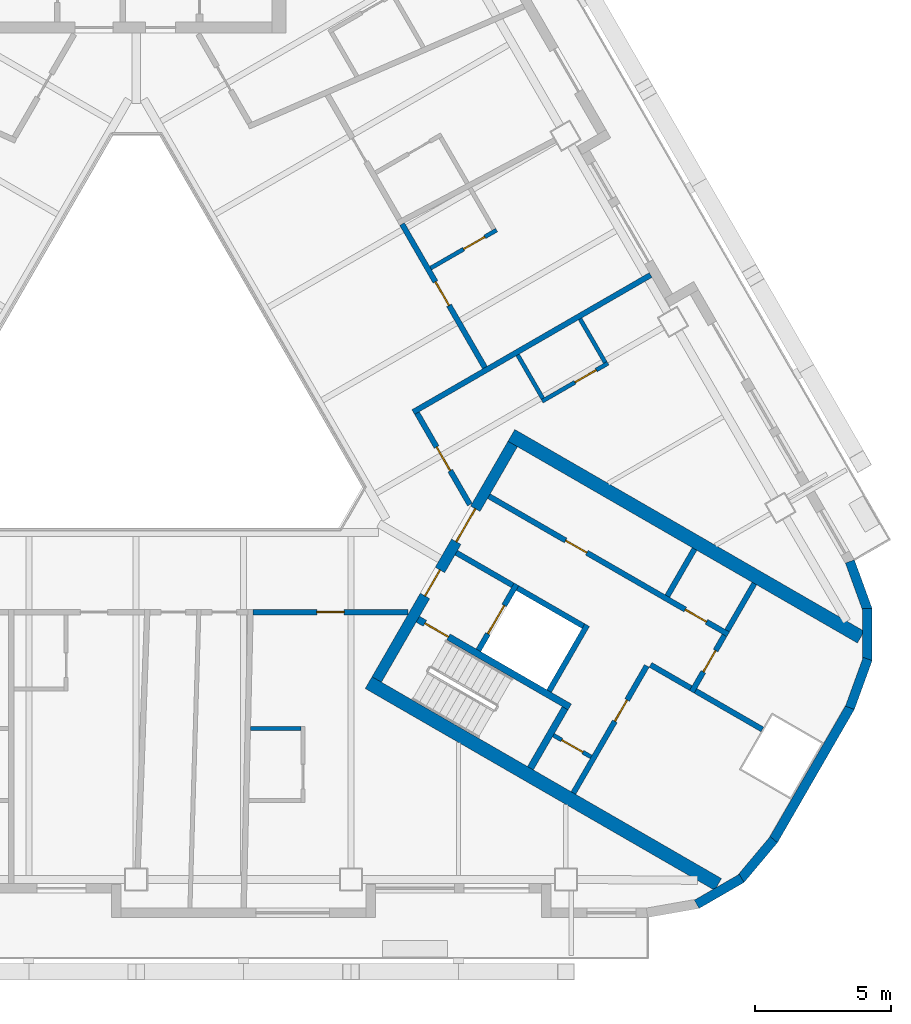
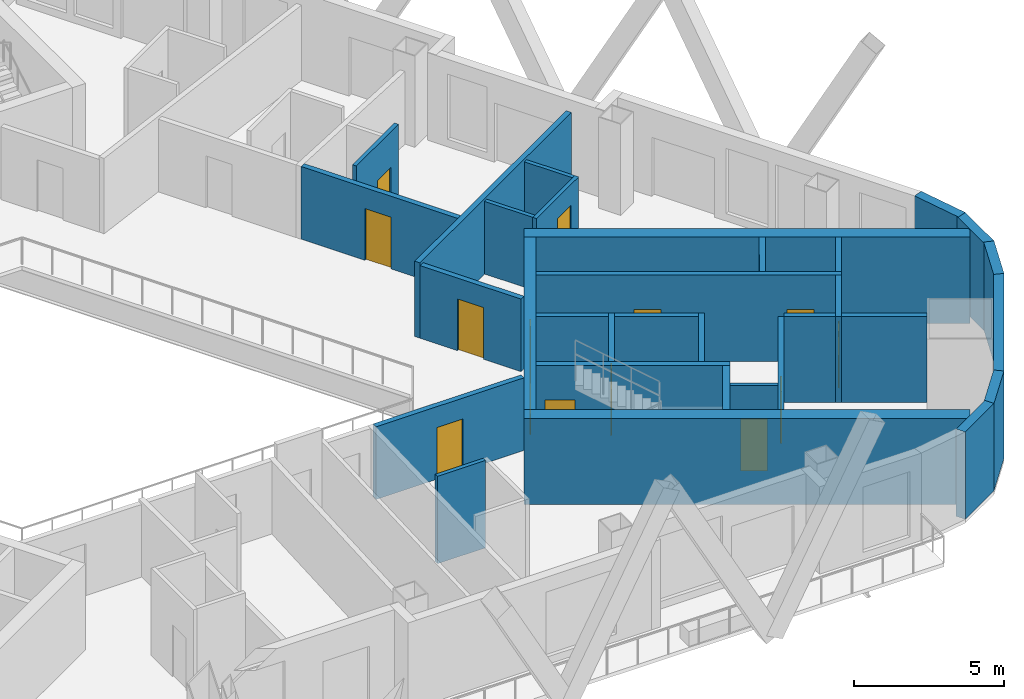
# One storey, part 5 of 14: 32 walls, 14 doors, 14 openings.
"""IFC4 building model written with IfcOpenShell, lengths in metres."""

from ifc_helpers import new_model, si_unit, direction, frame, frame_2d, origin, place, context, subcontext, project, spatial, rectangle, extrude, material, layer, layer_set, type_object, element, fill, save


model = new_model("IFC4")

# Units and contexts
model_context = context("Model", 3, precision=1e-05, world=origin(), true_north=direction((0.0, 1.0)))
body_context = subcontext(model_context, "Body", "Model", "MODEL_VIEW")
ifc_project = project(units=[si_unit("LENGTHUNIT", "METRE"), si_unit("AREAUNIT", "SQUARE_METRE"), si_unit("VOLUMEUNIT", "CUBIC_METRE"), si_unit("PLANEANGLEUNIT", "RADIAN"), si_unit("MASSUNIT", "GRAM", prefix="KILO")], contexts=[model_context])

# Site, building, storey
site_placement = place(None, origin())
site = spatial("IfcSite", under=ifc_project, at=site_placement, CompositionType="ELEMENT")
building_placement = place(site_placement, origin())
building = spatial("IfcBuilding", under=site, at=building_placement, Name="Apuvela Tower Hotel", CompositionType="ELEMENT")
storey_placement = place(building_placement, frame((0.0, 0.0, 154.0)))
storey = spatial("IfcBuildingStorey", under=building, at=storey_placement, Name="L36", CompositionType="ELEMENT", Elevation=154.0)

# Wall, openings, doors
ifc_material_1 = material(Name="Concrete C50/60", Category="concrete")
ifc_layer_1 = layer(ifc_material_1, 0.39990234375)
ifc_layer_set_1 = layer_set([ifc_layer_1], Name="COR-WALL-CORE-400")
wall_type_1 = type_object("IfcWallType", Name="COR-WALL-CORE-400", PredefinedType="SHEAR", material=ifc_layer_set_1)
wall_1_placement = place(storey_placement, frame((8.844970703125, -10.880126953125, 0.0), z_axis=(0.0, 0.0, 1.0), x_axis=(0.500004234368, 0.866022959057, 0.0)))
wall_1 = element("IfcWall", 1, at=wall_1_placement, inside=storey, type_object=wall_type_1, Name="Core wall SE", PredefinedType="SHEAR", context=body_context, shape_type="SweptSolid", body=[
    extrude(rectangle(XDim=10.0, YDim=0.39990234375, at=frame_2d((5.0, 0.0))), origin(), (0.0, 0.0, 1.0), 3.5),
])
opening_1_placement = place(wall_1_placement, frame((3.550048828125, 0.0, 0.0)))
opening_1 = element("IfcOpeningElement", 2, at=opening_1_placement, cuts=wall_1, Name="Opening E-FD", PredefinedType="OPENING", context=body_context, shape_type="SweptSolid", body=[
    extrude(rectangle(XDim=1.10009765625, YDim=2.10009765625, at=frame_2d((0.550048828125, 1.050048828125))), frame((0.0, 0.2099609375, 0.0), z_axis=(0.0, -1.0, 0.0), x_axis=(1.0, 0.0, 0.0)), (0.0, 0.0, 1.0), 0.419921875),
])
opening_2_placement = place(wall_1_placement, frame((5.85009765625, 0.0, 0.0)))
opening_2 = element("IfcOpeningElement", 3, at=opening_2_placement, cuts=wall_1, Name="Opening E-GD", PredefinedType="OPENING", context=body_context, shape_type="SweptSolid", body=[
    extrude(rectangle(XDim=1.39990234375, YDim=2.10009765625, at=frame_2d((0.699951171875, 1.050048828125))), frame((0.0, 0.2099609375, 0.0), z_axis=(0.0, -1.0, 0.0), x_axis=(1.0, 0.0, 0.0)), (0.0, 0.0, 1.0), 0.419921875),
])
ifc_material_2 = material(Name="Steel fire door, powder coated", Category="steel")
door_type_1 = type_object("IfcDoorType", Name="COR-FD-1100", OperationType="NOTDEFINED", PredefinedType="DOOR", material=ifc_material_2)
door_1_placement = place(opening_1_placement, frame((1.10009765625, 0.0, 0.0), z_axis=(0.0, 0.0, 1.0), x_axis=(-1.0, 0.0, 0.0)))
door_1 = element("IfcDoor", 4, at=door_1_placement, inside=storey, type_object=door_type_1, Name="Firefighting lobby door E-FD", OperationType="SINGLE_SWING_LEFT", OverallHeight=2.10009765625, OverallWidth=1.10009765625, PredefinedType="DOOR", context=body_context, shape_type="SweptSolid", body=[
    extrude(rectangle(XDim=1.10009765625, YDim=2.10009765625, at=frame_2d((0.550048828125, 1.050048828125))), frame((0.0, 0.02490234375, 0.0), z_axis=(0.0, -1.0, 0.0), x_axis=(1.0, 0.0, 0.0)), (0.0, 0.0, 1.0), 0.050048828125),
])
fill(opening_1, door_1)
ifc_material_3 = material(Name="Glazed steel fire door", Category="steel")
door_type_2 = type_object("IfcDoorType", Name="COR-GD-1400", OperationType="DOUBLE_DOOR_SINGLE_SWING", PredefinedType="DOOR", material=ifc_material_3)
door_2_placement = place(opening_2_placement, frame((1.39990234375, 0.0, 0.0), z_axis=(0.0, 0.0, 1.0), x_axis=(-1.0, 0.0, 0.0)))
door_2 = element("IfcDoor", 5, at=door_2_placement, inside=storey, type_object=door_type_2, Name="Lift lobby door E-GD", OperationType="DOUBLE_DOOR_SINGLE_SWING", OverallHeight=2.10009765625, OverallWidth=1.39990234375, PredefinedType="DOOR", context=body_context, shape_type="SweptSolid", body=[
    extrude(rectangle(XDim=1.39990234375, YDim=2.10009765625, at=frame_2d((0.699951171875, 1.050048828125))), frame((0.0, 0.02490234375, 0.0), z_axis=(0.0, -1.0, 0.0), x_axis=(1.0, 0.0, 0.0)), (0.0, 0.0, 1.0), 0.050048828125),
])
fill(opening_2, door_2)

# Walls
ifc_layer_2 = layer(ifc_material_1, 0.5)
ifc_layer_set_2 = layer_set([ifc_layer_2], Name="COR-WALL-CORE-500")
wall_type_2 = type_object("IfcWallType", Name="COR-WALL-CORE-500", PredefinedType="SHEAR", material=ifc_layer_set_2)
for number, where, z_axis, x_axis, name in (
    (6, (8.546630859375, -10.99658203125, 0.0), (0.0, 0.0, 1.0), (0.866025009528, -0.500000682871, 0.0), "Core wall SE"),
    (7, (13.796630859375, -1.9033203125, 0.0), (0.0, 0.0, 1.0), (0.866025009528, -0.500000682871, 0.0), "Core wall SE"),
):
    element("IfcWall", number, at=place(storey_placement, frame(where, z_axis=z_axis, x_axis=x_axis)), inside=storey, type_object=wall_type_2, Name=name, PredefinedType="SHEAR", context=body_context, shape_type="SweptSolid", body=[
        extrude(rectangle(XDim=14.8369140625, YDim=0.5, at=frame_2d((7.41845703125, 0.0))), origin(), (0.0, 0.0, 1.0), 3.5),
    ])

# Wall, opening, door
ifc_material_4 = material(Name="Blockwork 150 mm plastered", Category="masonry")
ifc_layer_3 = layer(ifc_material_4, 0.14990234375)
ifc_layer_set_3 = layer_set([ifc_layer_3], Name="COR-WALL-PART-150")
wall_type_3 = type_object("IfcWallType", Name="COR-WALL-PART-150", PredefinedType="PARTITIONING", material=ifc_layer_set_3)
wall_2_placement = place(storey_placement, frame((15.341552734375, -12.927734375, 0.0), z_axis=(0.0, 0.0, 1.0), x_axis=(0.865989903783, -0.500061482766, 0.0)))
wall_2 = element("IfcWall", 8, at=wall_2_placement, inside=storey, type_object=wall_type_3, Name="Partition SE", PredefinedType="PARTITIONING", context=body_context, shape_type="SweptSolid", body=[
    extrude(rectangle(XDim=1.599853515625, YDim=0.14990234375, at=frame_2d((0.7998046875, 0.0))), origin(), (0.0, 0.0, 1.0), 3.5),
])
opening_3_placement = place(wall_2_placement, frame((0.35009765625, 0.0, 0.0)))
opening_3 = element("IfcOpeningElement", 9, at=opening_3_placement, cuts=wall_2, Name="Opening E-RD", PredefinedType="OPENING", context=body_context, shape_type="SweptSolid", body=[
    extrude(rectangle(XDim=0.89990234375, YDim=2.10009765625, at=frame_2d((0.449951171875, 1.050048828125))), frame((0.0, 0.0849609375, 0.0), z_axis=(0.0, -1.0, 0.0), x_axis=(1.0, 0.0, 0.0)), (0.0, 0.0, 1.0), 0.169921875),
])
ifc_material_5 = material(Name="Steel access door, powder coated", Category="steel")
door_type_3 = type_object("IfcDoorType", Name="COR-RD-900", OperationType="NOTDEFINED", PredefinedType="DOOR", material=ifc_material_5)
door_3_placement = place(opening_3_placement, frame((0.89990234375, 0.0, 0.0), z_axis=(0.0, 0.0, 1.0), x_axis=(-1.0, 0.0, 0.0)))
door_3 = element("IfcDoor", 10, at=door_3_placement, inside=storey, type_object=door_type_3, Name="Riser door E-RD", OperationType="SINGLE_SWING_LEFT", OverallHeight=2.10009765625, OverallWidth=0.89990234375, PredefinedType="DOOR", context=body_context, shape_type="SweptSolid", body=[
    extrude(rectangle(XDim=0.89990234375, YDim=2.10009765625, at=frame_2d((0.449951171875, 1.050048828125))), frame((0.0, 0.02490234375, 0.0), z_axis=(0.0, -1.0, 0.0), x_axis=(1.0, 0.0, 0.0)), (0.0, 0.0, 1.0), 0.050048828125),
])
fill(opening_3, door_3)

ifc_material_6 = material(Name="Blockwork 200 mm plastered", Category="masonry")
ifc_layer_4 = layer(ifc_material_6, 0.199951171875)
ifc_layer_set_4 = layer_set([ifc_layer_4], Name="COR-WALL-PART-200")
wall_type_4 = type_object("IfcWallType", Name="COR-WALL-PART-200", PredefinedType="PARTITIONING", material=ifc_layer_set_4)
wall_3_placement = place(storey_placement, frame((16.076171875, -15.05517578125, 0.0), z_axis=(0.0, 0.0, 1.0), x_axis=(0.499995103361, 0.866028230842, 0.0)))
wall_3 = element("IfcWall", 11, at=wall_3_placement, inside=storey, type_object=wall_type_4, Name="Partition SE", PredefinedType="PARTITIONING", context=body_context, shape_type="SweptSolid", body=[
    extrude(rectangle(XDim=5.39990234375, YDim=0.199951171875, at=frame_2d((2.699951171875, 0.0))), origin(), (0.0, 0.0, 1.0), 3.5),
])
opening_4_placement = place(wall_3_placement, frame((3.050048828125, 0.0, 0.0)))
opening_4 = element("IfcOpeningElement", 12, at=opening_4_placement, cuts=wall_3, Name="Opening E-RS1", PredefinedType="OPENING", context=body_context, shape_type="SweptSolid", body=[
    extrude(rectangle(XDim=0.89990234375, YDim=2.10009765625, at=frame_2d((0.449951171875, 1.050048828125))), frame((0.0, 0.10986328125, 0.0), z_axis=(0.0, -1.0, 0.0), x_axis=(1.0, 0.0, 0.0)), (0.0, 0.0, 1.0), 0.219970703125),
])
door_type_4 = type_object("IfcDoorType", Name="COR-DR-900", OperationType="NOTDEFINED", PredefinedType="DOOR", material=ifc_material_2)
door_4_placement = place(opening_4_placement, frame((0.89990234375, 0.0, 0.0), z_axis=(0.0, 0.0, 1.0), x_axis=(-1.0, 0.0, 0.0)))
door_4 = element("IfcDoor", 13, at=door_4_placement, inside=storey, type_object=door_type_4, Name="Store door E-RS1", OperationType="SINGLE_SWING_LEFT", OverallHeight=2.10009765625, OverallWidth=0.89990234375, PredefinedType="DOOR", context=body_context, shape_type="SweptSolid", body=[
    extrude(rectangle(XDim=0.89990234375, YDim=2.10009765625, at=frame_2d((0.449951171875, 1.050048828125))), frame((0.0, 0.02490234375, 0.0), z_axis=(0.0, -1.0, 0.0), x_axis=(1.0, 0.0, 0.0)), (0.0, 0.0, 1.0), 0.050048828125),
])
fill(opening_4, door_4)

# Wall
ifc_layer_5 = layer(ifc_material_1, 0.199951171875)
ifc_layer_set_5 = layer_set([ifc_layer_5], Name="COR-WALL-SHAFT-200")
wall_type_5 = type_object("IfcWallType", Name="COR-WALL-SHAFT-200", PredefinedType="SHEAR", material=ifc_layer_set_5)
wall_4_placement = place(storey_placement, frame((15.181396484375, -11.305419921875, 0.0), z_axis=(0.0, 0.0, 1.0), x_axis=(0.49994636267, 0.866056369097, 0.0)))
element("IfcWall", 14, at=wall_4_placement, inside=storey, type_object=wall_type_5, Name="Shaft wall SE", PredefinedType="SHEAR", context=body_context, shape_type="SweptSolid", body=[
    extrude(rectangle(XDim=2.800048828125, YDim=0.199951171875, at=frame_2d((1.39990234375, 0.0))), origin(), (0.0, 0.0, 1.0), 3.5),
])

# Wall, opening, door
wall_5_placement = place(storey_placement, frame((12.583251953125, -9.805419921875, 0.0), z_axis=(0.0, 0.0, 1.0), x_axis=(0.49994636267, 0.866056369097, 0.0)))
wall_5 = element("IfcWall", 15, at=wall_5_placement, inside=storey, type_object=wall_type_5, Name="Shaft wall SE", PredefinedType="SHEAR", context=body_context, shape_type="SweptSolid", body=[
    extrude(rectangle(XDim=2.800048828125, YDim=0.199951171875, at=frame_2d((1.39990234375, 0.0))), origin(), (0.0, 0.0, 1.0), 3.5),
])
opening_5_placement = place(wall_5_placement, frame((0.699951171875, 0.0, 0.0)))
opening_5 = element("IfcOpeningElement", 16, at=opening_5_placement, cuts=wall_5, Name="Opening E-LD-FS3", PredefinedType="OPENING", context=body_context, shape_type="SweptSolid", body=[
    extrude(rectangle(XDim=1.199951171875, YDim=2.10009765625, at=frame_2d((0.60009765625, 1.050048828125))), frame((0.0, 0.10986328125, 0.0), z_axis=(0.0, -1.0, 0.0), x_axis=(1.0, 0.0, 0.0)), (0.0, 0.0, 1.0), 0.219970703125),
])
ifc_material_7 = material(Name="Stainless steel lift landing door", Category="steel")
door_type_5 = type_object("IfcDoorType", Name="COR-LD-1200", OperationType="DOUBLE_DOOR_SLIDING", PredefinedType="DOOR", material=ifc_material_7)
door_5_placement = place(opening_5_placement, origin())
door_5 = element("IfcDoor", 17, at=door_5_placement, inside=storey, type_object=door_type_5, Name="Lift landing door E-LD-FS3", OperationType="DOUBLE_DOOR_SLIDING", OverallHeight=2.10009765625, OverallWidth=1.199951171875, PredefinedType="DOOR", context=body_context, shape_type="SweptSolid", body=[
    extrude(rectangle(XDim=1.199951171875, YDim=2.10009765625, at=frame_2d((0.60009765625, 1.050048828125))), frame((0.0, 0.02490234375, 0.0), z_axis=(0.0, -1.0, 0.0), x_axis=(1.0, 0.0, 0.0)), (0.0, 0.0, 1.0), 0.050048828125),
])
fill(opening_5, door_5)

# Walls
wall_6_placement = place(storey_placement, frame((11.76806640625, -6.217041015625, 0.0), z_axis=(0.0, 0.0, 1.0), x_axis=(0.866050077142, -0.499957262057, 0.0)))
element("IfcWall", 18, at=wall_6_placement, inside=storey, type_object=wall_type_5, Name="Shaft wall SE", PredefinedType="SHEAR", context=body_context, shape_type="SweptSolid", body=[
    extrude(rectangle(XDim=2.400146484375, YDim=0.199951171875, at=frame_2d((1.2001953125, 0.0))), origin(), (0.0, 0.0, 1.0), 3.5),
])
wall_7_placement = place(storey_placement, frame((14.019775390625, -7.51708984375, 0.0), z_axis=(0.0, 0.0, 1.0), x_axis=(0.866034573852, -0.49998411664, 0.0)))
element("IfcWall", 19, at=wall_7_placement, inside=storey, type_object=wall_type_5, Name="Shaft wall SE", PredefinedType="SHEAR", context=body_context, shape_type="SweptSolid", body=[
    extrude(rectangle(XDim=2.7998046875, YDim=0.199951171875, at=frame_2d((1.39990234375, 0.0))), origin(), (0.0, 0.0, 1.0), 3.5),
])

# Wall, openings, doors
wall_8_placement = place(storey_placement, frame((12.968017578125, -4.138427734375, 0.0), z_axis=(0.0, 0.0, 1.0), x_axis=(0.866028328073, -0.49999493495, 0.0)))
wall_8 = element("IfcWall", 20, at=wall_8_placement, inside=storey, type_object=wall_type_5, Name="Shaft wall SE", PredefinedType="SHEAR", context=body_context, shape_type="SweptSolid", body=[
    extrude(rectangle(XDim=10.16015625, YDim=0.199951171875, at=frame_2d((5.080078125, 0.0))), origin(), (0.0, 0.0, 1.0), 3.5),
])
opening_6_placement = place(wall_8_placement, frame((3.260009765625, 0.0, 0.0)))
opening_6 = element("IfcOpeningElement", 21, at=opening_6_placement, cuts=wall_8, Name="Opening E-RE1", PredefinedType="OPENING", context=body_context, shape_type="SweptSolid", body=[
    extrude(rectangle(XDim=0.89990234375, YDim=2.10009765625, at=frame_2d((0.449951171875, 1.050048828125))), frame((0.0, 0.10986328125, 0.0), z_axis=(0.0, -1.0, 0.0), x_axis=(1.0, 0.0, 0.0)), (0.0, 0.0, 1.0), 0.219970703125),
])
opening_7_placement = place(wall_8_placement, frame((8.340087890625, 0.0, 0.0)))
opening_7 = element("IfcOpeningElement", 22, at=opening_7_placement, cuts=wall_8, Name="Opening E-RE4", PredefinedType="OPENING", context=body_context, shape_type="SweptSolid", body=[
    extrude(rectangle(XDim=0.89990234375, YDim=2.10009765625, at=frame_2d((0.449951171875, 1.050048828125))), frame((0.0, 0.10986328125, 0.0), z_axis=(0.0, -1.0, 0.0), x_axis=(1.0, 0.0, 0.0)), (0.0, 0.0, 1.0), 0.219970703125),
])
door_6_placement = place(opening_6_placement, origin())
door_6 = element("IfcDoor", 23, at=door_6_placement, inside=storey, type_object=door_type_4, Name="Store door E-RE1", OperationType="SINGLE_SWING_LEFT", OverallHeight=2.10009765625, OverallWidth=0.89990234375, PredefinedType="DOOR", context=body_context, shape_type="SweptSolid", body=[
    extrude(rectangle(XDim=0.89990234375, YDim=2.10009765625, at=frame_2d((0.449951171875, 1.050048828125))), frame((0.0, 0.02490234375, 0.0), z_axis=(0.0, -1.0, 0.0), x_axis=(1.0, 0.0, 0.0)), (0.0, 0.0, 1.0), 0.050048828125),
])
fill(opening_6, door_6)
door_7_placement = place(opening_7_placement, origin())
door_7 = element("IfcDoor", 24, at=door_7_placement, inside=storey, type_object=door_type_4, Name="Store door E-RE4", OperationType="SINGLE_SWING_RIGHT", OverallHeight=2.10009765625, OverallWidth=0.89990234375, PredefinedType="DOOR", context=body_context, shape_type="SweptSolid", body=[
    extrude(rectangle(XDim=0.89990234375, YDim=2.10009765625, at=frame_2d((0.449951171875, 1.050048828125))), frame((0.0, 0.02490234375, 0.0), z_axis=(0.0, -1.0, 0.0), x_axis=(1.0, 0.0, 0.0)), (0.0, 0.0, 1.0), 0.050048828125),
])
fill(opening_7, door_7)

# Wall, opening, door
wall_9_placement = place(storey_placement, frame((20.430419921875, -11.33349609375, 0.0), z_axis=(0.0, 0.0, 1.0), x_axis=(0.500001309137, 0.866024647952, 0.0)))
wall_9 = element("IfcWall", 25, at=wall_9_placement, inside=storey, type_object=wall_type_5, Name="Shaft wall SE", PredefinedType="SHEAR", context=body_context, shape_type="SweptSolid", body=[
    extrude(rectangle(XDim=2.39990234375, YDim=0.199951171875, at=frame_2d((1.199951171875, 0.0))), origin(), (0.0, 0.0, 1.0), 3.5),
])
opening_8_placement = place(wall_9_placement, frame((0.85009765625, 0.0, 0.0)))
opening_8 = element("IfcOpeningElement", 26, at=opening_8_placement, cuts=wall_9, Name="Opening E-REP", PredefinedType="OPENING", context=body_context, shape_type="SweptSolid", body=[
    extrude(rectangle(XDim=0.89990234375, YDim=2.10009765625, at=frame_2d((0.449951171875, 1.050048828125))), frame((0.0, 0.10986328125, 0.0), z_axis=(0.0, -1.0, 0.0), x_axis=(1.0, 0.0, 0.0)), (0.0, 0.0, 1.0), 0.219970703125),
])
door_8_placement = place(opening_8_placement, frame((0.89990234375, 0.0, 0.0), z_axis=(0.0, 0.0, 1.0), x_axis=(-1.0, 0.0, 0.0)))
door_8 = element("IfcDoor", 27, at=door_8_placement, inside=storey, type_object=door_type_4, Name="Store door E-REP", OperationType="SINGLE_SWING_RIGHT", OverallHeight=2.10009765625, OverallWidth=0.89990234375, PredefinedType="DOOR", context=body_context, shape_type="SweptSolid", body=[
    extrude(rectangle(XDim=0.89990234375, YDim=2.10009765625, at=frame_2d((0.449951171875, 1.050048828125))), frame((0.0, 0.02490234375, 0.0), z_axis=(0.0, -1.0, 0.0), x_axis=(1.0, 0.0, 0.0)), (0.0, 0.0, 1.0), 0.050048828125),
])
fill(opening_8, door_8)

# Walls
wall_10_placement = place(storey_placement, frame((18.912841796875, -10.342041015625, 0.0), z_axis=(0.0, 0.0, 1.0), x_axis=(0.866038183914, -0.499977863513, 0.0)))
element("IfcWall", 28, at=wall_10_placement, inside=storey, type_object=wall_type_5, Name="Shaft wall SE", PredefinedType="SHEAR", context=body_context, shape_type="SweptSolid", body=[
    extrude(rectangle(XDim=1.7099609375, YDim=0.199951171875, at=frame_2d((0.85498046875, 0.0))), origin(), (0.0, 0.0, 1.0), 3.5),
])
for number, where, z_axis, x_axis, name in (
    (29, (19.530517578125, -7.81201171875, 0.0), (0.0, 0.0, 1.0), (0.499972520799, 0.866041268327, 0.0), "Shaft wall SE"),
    (30, (21.73046875, -9.081787109375, 0.0), (0.0, 0.0, 1.0), (0.50002537861, 0.866010750942, 0.0), "Shaft wall SE"),
):
    element("IfcWall", number, at=place(storey_placement, frame(where, z_axis=z_axis, x_axis=x_axis)), inside=storey, type_object=wall_type_5, Name=name, PredefinedType="SHEAR", context=body_context, shape_type="SweptSolid", body=[
        extrude(rectangle(XDim=2.0, YDim=0.199951171875, at=frame_2d((1.0, 0.0))), origin(), (0.0, 0.0, 1.0), 3.5),
    ])
wall_11_placement = place(storey_placement, frame((20.56689453125, -11.297119140625, 0.0), z_axis=(0.0, 0.0, 1.0), x_axis=(0.866055327414, -0.49994816717, 0.0)))
element("IfcWall", 31, at=wall_11_placement, inside=storey, type_object=wall_type_5, Name="Shaft wall SE", PredefinedType="SHEAR", context=body_context, shape_type="SweptSolid", body=[
    extrude(rectangle(XDim=2.840087890625, YDim=0.199951171875, at=frame_2d((1.419921875, 0.0))), origin(), (0.0, 0.0, 1.0), 3.5),
])

# Wall, opening, door
ifc_layer_6 = layer(ifc_material_1, 0.25)
ifc_layer_set_6 = layer_set([ifc_layer_6], Name="COR-WALL-STAIR-250")
wall_type_6 = type_object("IfcWallType", Name="COR-WALL-STAIR-250", PredefinedType="SHEAR", material=ifc_layer_set_6)
wall_12_placement = place(storey_placement, frame((10.355712890625, -8.66357421875, 0.0), z_axis=(0.0, 0.0, 1.0), x_axis=(0.866028629588, -0.499994412703, 0.0)))
wall_12 = element("IfcWall", 32, at=wall_12_placement, inside=storey, type_object=wall_type_6, Name="Stair wall SE", PredefinedType="SHEAR", context=body_context, shape_type="SweptSolid", body=[
    extrude(rectangle(XDim=6.44970703125, YDim=0.25, at=frame_2d((3.224853515625, 0.0))), origin(), (0.0, 0.0, 1.0), 3.5),
])
opening_9_placement = place(wall_12_placement, frame((0.300048828125, 0.0, 0.0)))
opening_9 = element("IfcOpeningElement", 33, at=opening_9_placement, cuts=wall_12, Name="Opening E-SD", PredefinedType="OPENING", context=body_context, shape_type="SweptSolid", body=[
    extrude(rectangle(XDim=1.0, YDim=2.10009765625, at=frame_2d((0.5, 1.050048828125))), frame((0.0, 0.135009765625, 0.0), z_axis=(0.0, -1.0, 0.0), x_axis=(1.0, 0.0, 0.0)), (0.0, 0.0, 1.0), 0.27001953125),
])
door_type_6 = type_object("IfcDoorType", Name="COR-SD-1000", OperationType="NOTDEFINED", PredefinedType="DOOR", material=ifc_material_2)
door_9_placement = place(opening_9_placement, frame((1.0, 0.0, 0.0), z_axis=(0.0, 0.0, 1.0), x_axis=(-1.0, 0.0, 0.0)))
door_9 = element("IfcDoor", 34, at=door_9_placement, inside=storey, type_object=door_type_6, Name="Stair door E-SD", OperationType="SINGLE_SWING_LEFT", OverallHeight=2.10009765625, OverallWidth=1.0, PredefinedType="DOOR", context=body_context, shape_type="SweptSolid", body=[
    extrude(rectangle(XDim=1.0, YDim=2.10009765625, at=frame_2d((0.5, 1.050048828125))), frame((0.0, 0.02490234375, 0.0), z_axis=(0.0, -1.0, 0.0), x_axis=(1.0, 0.0, 0.0)), (0.0, 0.0, 1.0), 0.050048828125),
])
fill(opening_9, door_9)

# Walls
wall_13_placement = place(storey_placement, frame((14.49560546875, -14.142578125, 0.0), z_axis=(0.0, 0.0, 1.0), x_axis=(0.500062241894, 0.865989465428, 0.0)))
element("IfcWall", 35, at=wall_13_placement, inside=storey, type_object=wall_type_6, Name="Stair wall SE", PredefinedType="SHEAR", context=body_context, shape_type="SweptSolid", body=[
    extrude(rectangle(XDim=2.550048828125, YDim=0.25, at=frame_2d((1.27490234375, 0.0))), origin(), (0.0, 0.0, 1.0), 3.5),
])
ifc_material_8 = material(Name="Concrete C40/50, dark pigmented precast panel", Category="concrete")
ifc_layer_7 = layer(ifc_material_8, 0.35009765625)
ifc_layer_set_7 = layer_set([ifc_layer_7], Name="ENV-WALL-350")
wall_type_7 = type_object("IfcWallType", Name="ENV-WALL-350", PredefinedType="SOLIDWALL", material=ifc_layer_set_7)
for number, where, z_axis, x_axis, name in (
    (36, (20.609619140625, -19.146728515625, 0.0), (0.0, 0.0, 1.0), (0.866000389056, 0.500043324278, 0.0), "External wall L36-27"),
    (37, (22.21728515625, -18.230712890625, 0.0), (0.0, 0.0, 1.0), (0.642733291068, 0.76609001857, 0.0), "External wall L36-28"),
):
    element("IfcWall", number, at=place(storey_placement, frame(where, z_axis=z_axis, x_axis=x_axis)), inside=storey, type_object=wall_type_7, Name=name, PredefinedType="SOLIDWALL", context=body_context, shape_type="SweptSolid", body=[
        extrude(rectangle(XDim=1.909912109375, YDim=0.35009765625, at=frame_2d((0.955078125, 0.0))), origin(), (0.0, 0.0, 1.0), 3.550048828125),
    ])
wall_14_placement = place(storey_placement, frame((23.427490234375, -16.79248046875, 0.0), z_axis=(0.0, 0.0, 1.0), x_axis=(0.500018773155, 0.866014564827, 0.0)))
element("IfcWall", 38, at=wall_14_placement, inside=storey, type_object=wall_type_7, Name="External wall L36-29", PredefinedType="SOLIDWALL", context=body_context, shape_type="SweptSolid", body=[
    extrude(rectangle(XDim=5.657958984375, YDim=0.35009765625, at=frame_2d((2.8291015625, 0.0))), origin(), (0.0, 0.0, 1.0), 3.550048828125),
])
for number, where, z_axis, x_axis, name in (
    (39, (26.24365234375, -11.920166015625, 0.0), (0.0, 0.0, 1.0), (0.342030395486, 0.939688889242, 0.0), "External wall L36-30"),
    (40, (26.88623046875, -10.18505859375, 0.0), (0.0, 0.0, 1.0), (0.0, 1.0, 0.0), "External wall L36-31"),
    (41, (26.89697265625, -8.334716796875, 0.0), (0.0, 0.0, 1.0), (-0.342030395486, 0.939688889242, 0.0), "External wall L36-32"),
):
    element("IfcWall", number, at=place(storey_placement, frame(where, z_axis=z_axis, x_axis=x_axis)), inside=storey, type_object=wall_type_7, Name=name, PredefinedType="SOLIDWALL", context=body_context, shape_type="SweptSolid", body=[
        extrude(rectangle(XDim=1.91015625, YDim=0.35009765625, at=frame_2d((0.955078125, 0.0))), origin(), (0.0, 0.0, 1.0), 3.550048828125),
    ])
ifc_material_9 = material(Name="Gypsum board partition on twin steel stud", Category="steel")
ifc_layer_8 = layer(ifc_material_9, 0.199951171875)
ifc_layer_set_8 = layer_set([ifc_layer_8], Name="GST-PW1")
wall_type_8 = type_object("IfcWallType", Name="GST-PW1", PredefinedType="PARTITIONING", material=ifc_layer_set_8)
wall_15_placement = place(storey_placement, frame((18.91748046875, 3.993896484375, 0.0), z_axis=(0.0, 0.0, 1.0), x_axis=(-0.866022637375, -0.500004791531, 0.0)))
element("IfcWall", 42, at=wall_15_placement, inside=storey, type_object=wall_type_8, Name="L36 partition 04", PredefinedType="PARTITIONING", context=body_context, shape_type="SweptSolid", body=[
    extrude(rectangle(XDim=10.080078125, YDim=0.199951171875, at=frame_2d((5.0400390625, 0.0))), origin(), (0.0, 0.0, 1.0), 3.06005859375),
])

# Wall, opening, door
ifc_material_10 = material(Name="Gypsum board corridor wall on twin steel stud, acoustic", Category="steel")
ifc_layer_9 = layer(ifc_material_10, 0.199951171875)
ifc_layer_set_9 = layer_set([ifc_layer_9], Name="GST-PW2")
wall_type_9 = type_object("IfcWallType", Name="GST-PW2", PredefinedType="PARTITIONING", material=ifc_layer_set_9)
wall_16_placement = place(storey_placement, frame((9.98828125, -8.39990234375, 0.0), z_axis=(0.0, 0.0, 1.0), x_axis=(-1.0, 0.0, 0.0)))
wall_16 = element("IfcWall", 43, at=wall_16_placement, inside=storey, type_object=wall_type_9, Name="L36 partition 20", PredefinedType="PARTITIONING", context=body_context, shape_type="SweptSolid", body=[
    extrude(rectangle(XDim=5.68603515625, YDim=0.199951171875, at=frame_2d((2.843017578125, 0.0))), origin(), (0.0, 0.0, 1.0), 2.949951171875),
])
opening_10_placement = place(wall_16_placement, frame((2.343017578125, 0.0, 0.0)))
opening_10 = element("IfcOpeningElement", 44, at=opening_10_placement, cuts=wall_16, Name="Opening GD13-08", PredefinedType="OPENING", context=body_context, shape_type="SweptSolid", body=[
    extrude(rectangle(XDim=1.0, YDim=2.10009765625, at=frame_2d((0.5, 1.050048828125))), frame((0.0, 0.10986328125, 0.0), z_axis=(0.0, -1.0, 0.0), x_axis=(1.0, 0.0, 0.0)), (0.0, 0.0, 1.0), 0.219970703125),
])
ifc_material_11 = material(Name="Timber door leaf in steel frame", Category="steel")
door_type_7 = type_object("IfcDoorType", Name="GST-D1", OperationType="NOTDEFINED", PredefinedType="DOOR", material=ifc_material_11)
door_10_placement = place(opening_10_placement, origin())
door_10 = element("IfcDoor", 45, at=door_10_placement, inside=storey, type_object=door_type_7, Name="Door L36-08", OperationType="SINGLE_SWING_RIGHT", OverallHeight=2.10009765625, OverallWidth=1.0, PredefinedType="DOOR", context=body_context, shape_type="SweptSolid", body=[
    extrude(rectangle(XDim=1.0, YDim=2.10009765625, at=frame_2d((0.5, 1.050048828125))), frame((0.0, 0.02490234375, 0.0), z_axis=(0.0, -1.0, 0.0), x_axis=(1.0, 0.0, 0.0)), (0.0, 0.0, 1.0), 0.050048828125),
])
fill(opening_10, door_10)

wall_17_placement = place(storey_placement, frame((10.32470703125, -1.082763671875, 0.0), z_axis=(0.0, 0.0, 1.0), x_axis=(0.500008716408, -0.866020371305, 0.0)))
wall_17 = element("IfcWall", 46, at=wall_17_placement, inside=storey, type_object=wall_type_9, Name="L36 partition 24", PredefinedType="PARTITIONING", context=body_context, shape_type="SweptSolid", body=[
    extrude(rectangle(XDim=3.88818359375, YDim=0.199951171875, at=frame_2d((1.944091796875, 0.0))), origin(), (0.0, 0.0, 1.0), 2.949951171875),
])
opening_11_placement = place(wall_17_placement, frame((1.444091796875, 0.0, 0.0)))
opening_11 = element("IfcOpeningElement", 47, at=opening_11_placement, cuts=wall_17, Name="Opening GD13-10", PredefinedType="OPENING", context=body_context, shape_type="SweptSolid", body=[
    extrude(rectangle(XDim=1.0, YDim=2.10009765625, at=frame_2d((0.5, 1.050048828125))), frame((0.0, 0.10986328125, 0.0), z_axis=(0.0, -1.0, 0.0), x_axis=(1.0, 0.0, 0.0)), (0.0, 0.0, 1.0), 0.219970703125),
])
door_11_placement = place(opening_11_placement, origin())
door_11 = element("IfcDoor", 48, at=door_11_placement, inside=storey, type_object=door_type_7, Name="Door L36-10", OperationType="SINGLE_SWING_LEFT", OverallHeight=2.10009765625, OverallWidth=1.0, PredefinedType="DOOR", context=body_context, shape_type="SweptSolid", body=[
    extrude(rectangle(XDim=1.0, YDim=2.10009765625, at=frame_2d((0.5, 1.050048828125))), frame((0.0, 0.02490234375, 0.0), z_axis=(0.0, -1.0, 0.0), x_axis=(1.0, 0.0, 0.0)), (0.0, 0.0, 1.0), 0.050048828125),
])
fill(opening_11, door_11)

wall_18_placement = place(storey_placement, frame((9.776611328125, 5.86669921875, 0.0), z_axis=(0.0, 0.0, 1.0), x_axis=(0.499996493545, -0.866027428228, 0.0)))
wall_18 = element("IfcWall", 49, at=wall_18_placement, inside=storey, type_object=wall_type_9, Name="L36 partition 28", PredefinedType="PARTITIONING", context=body_context, shape_type="SweptSolid", body=[
    extrude(rectangle(XDim=6.09228515625, YDim=0.199951171875, at=frame_2d((3.046142578125, 0.0))), origin(), (0.0, 0.0, 1.0), 2.949951171875),
])
opening_12_placement = place(wall_18_placement, frame((2.453857421875, 0.0, 0.0)))
opening_12 = element("IfcOpeningElement", 50, at=opening_12_placement, cuts=wall_18, Name="Opening GD13-12", PredefinedType="OPENING", context=body_context, shape_type="SweptSolid", body=[
    extrude(rectangle(XDim=1.0, YDim=2.10009765625, at=frame_2d((0.5, 1.050048828125))), frame((0.0, 0.10986328125, 0.0), z_axis=(0.0, -1.0, 0.0), x_axis=(1.0, 0.0, 0.0)), (0.0, 0.0, 1.0), 0.219970703125),
])
door_12_placement = place(opening_12_placement, origin())
door_12 = element("IfcDoor", 51, at=door_12_placement, inside=storey, type_object=door_type_7, Name="Door L36-12", OperationType="SINGLE_SWING_RIGHT", OverallHeight=2.10009765625, OverallWidth=1.0, PredefinedType="DOOR", context=body_context, shape_type="SweptSolid", body=[
    extrude(rectangle(XDim=1.0, YDim=2.10009765625, at=frame_2d((0.5, 1.050048828125))), frame((0.0, 0.02490234375, 0.0), z_axis=(0.0, -1.0, 0.0), x_axis=(1.0, 0.0, 0.0)), (0.0, 0.0, 1.0), 0.050048828125),
])
fill(opening_12, door_12)

# Wall
ifc_material_12 = material(Name="Moisture-resistant gypsum board wet wall on steel stud", Category="steel")
ifc_layer_10 = layer(ifc_material_12, 0.14990234375)
ifc_layer_set_10 = layer_set([ifc_layer_10], Name="GST-PW3")
wall_type_10 = type_object("IfcWallType", Name="GST-PW3", PredefinedType="PARTITIONING", material=ifc_layer_set_10)
wall_19_placement = place(storey_placement, frame((4.203125, -12.675048828125, 0.0), z_axis=(0.0, 0.0, 1.0), x_axis=(1.0, 0.0, 0.0)))
element("IfcWall", 52, at=wall_19_placement, inside=storey, type_object=wall_type_10, Name="L36 partition 23", PredefinedType="PARTITIONING", context=body_context, shape_type="SweptSolid", body=[
    extrude(rectangle(XDim=1.851806640625, YDim=0.14990234375, at=frame_2d((0.92578125, 0.0))), origin(), (0.0, 0.0, 1.0), 3.550048828125),
])

# Wall, opening, door
wall_20_placement = place(storey_placement, frame((14.92431640625, -0.64990234375, 0.0), z_axis=(0.0, 0.0, 1.0), x_axis=(0.866056369097, 0.49994636267, 0.0)))
wall_20 = element("IfcWall", 53, at=wall_20_placement, inside=storey, type_object=wall_type_10, Name="L36 partition 25", PredefinedType="PARTITIONING", context=body_context, shape_type="SweptSolid", body=[
    extrude(rectangle(XDim=2.800048828125, YDim=0.14990234375, at=frame_2d((1.39990234375, 0.0))), origin(), (0.0, 0.0, 1.0), 2.949951171875),
])
opening_13_placement = place(wall_20_placement, frame((1.39990234375, 0.0, 0.0)))
opening_13 = element("IfcOpeningElement", 54, at=opening_13_placement, cuts=wall_20, Name="Opening GD13-09", PredefinedType="OPENING", context=body_context, shape_type="SweptSolid", body=[
    extrude(rectangle(XDim=0.89990234375, YDim=2.10009765625, at=frame_2d((0.449951171875, 1.050048828125))), frame((0.0, 0.0849609375, 0.0), z_axis=(0.0, -1.0, 0.0), x_axis=(1.0, 0.0, 0.0)), (0.0, 0.0, 1.0), 0.169921875),
])
door_type_8 = type_object("IfcDoorType", Name="GST-D2", OperationType="NOTDEFINED", PredefinedType="DOOR", material=ifc_material_11)
door_13_placement = place(opening_13_placement, origin())
door_13 = element("IfcDoor", 55, at=door_13_placement, inside=storey, type_object=door_type_8, Name="Door L36-09", OperationType="SINGLE_SWING_RIGHT", OverallHeight=2.10009765625, OverallWidth=0.89990234375, PredefinedType="DOOR", context=body_context, shape_type="SweptSolid", body=[
    extrude(rectangle(XDim=0.89990234375, YDim=2.10009765625, at=frame_2d((0.449951171875, 1.050048828125))), frame((0.0, 0.02490234375, 0.0), z_axis=(0.0, -1.0, 0.0), x_axis=(1.0, 0.0, 0.0)), (0.0, 0.0, 1.0), 0.050048828125),
])
fill(opening_13, door_13)

# Walls
for number, where, z_axis, x_axis, name in (
    (56, (17.246826171875, 0.777587890625, 0.0), (0.0, 0.0, 1.0), (-0.500042316284, 0.866000971088, 0.0), "L36 partition 26"),
    (57, (14.951904296875, -0.54736328125, 0.0), (0.0, 0.0, 1.0), (-0.500042316284, 0.866000971088, 0.0), "L36 partition 27"),
):
    element("IfcWall", number, at=place(storey_placement, frame(where, z_axis=z_axis, x_axis=x_axis)), inside=storey, type_object=wall_type_10, Name=name, PredefinedType="PARTITIONING", context=body_context, shape_type="SweptSolid", body=[
        extrude(rectangle(XDim=1.849853515625, YDim=0.14990234375, at=frame_2d((0.9248046875, 0.0))), origin(), (0.0, 0.0, 1.0), 2.949951171875),
    ])

# Wall, opening, door
wall_21_placement = place(storey_placement, frame((10.827392578125, 4.24609375, 0.0), z_axis=(0.0, 0.0, 1.0), x_axis=(0.866018616679, 0.500011755427, 0.0)))
wall_21 = element("IfcWall", 58, at=wall_21_placement, inside=storey, type_object=wall_type_10, Name="L36 partition 29", PredefinedType="PARTITIONING", context=body_context, shape_type="SweptSolid", body=[
    extrude(rectangle(XDim=2.80029296875, YDim=0.14990234375, at=frame_2d((1.400146484375, 0.0))), origin(), (0.0, 0.0, 1.0), 3.550048828125),
])
opening_14_placement = place(wall_21_placement, frame((1.39990234375, 0.0, 0.0)))
opening_14 = element("IfcOpeningElement", 59, at=opening_14_placement, cuts=wall_21, Name="Opening GD13-11", PredefinedType="OPENING", context=body_context, shape_type="SweptSolid", body=[
    extrude(rectangle(XDim=0.89990234375, YDim=2.10009765625, at=frame_2d((0.449951171875, 1.050048828125))), frame((0.0, 0.0849609375, 0.0), z_axis=(0.0, -1.0, 0.0), x_axis=(1.0, 0.0, 0.0)), (0.0, 0.0, 1.0), 0.169921875),
])
door_14_placement = place(opening_14_placement, origin())
door_14 = element("IfcDoor", 60, at=door_14_placement, inside=storey, type_object=door_type_8, Name="Door L36-11", OperationType="SINGLE_SWING_RIGHT", OverallHeight=2.10009765625, OverallWidth=0.89990234375, PredefinedType="DOOR", context=body_context, shape_type="SweptSolid", body=[
    extrude(rectangle(XDim=0.89990234375, YDim=2.10009765625, at=frame_2d((0.449951171875, 1.050048828125))), frame((0.0, 0.02490234375, 0.0), z_axis=(0.0, -1.0, 0.0), x_axis=(1.0, 0.0, 0.0)), (0.0, 0.0, 1.0), 0.050048828125),
])
fill(opening_14, door_14)

save(model, "model.ifc")
